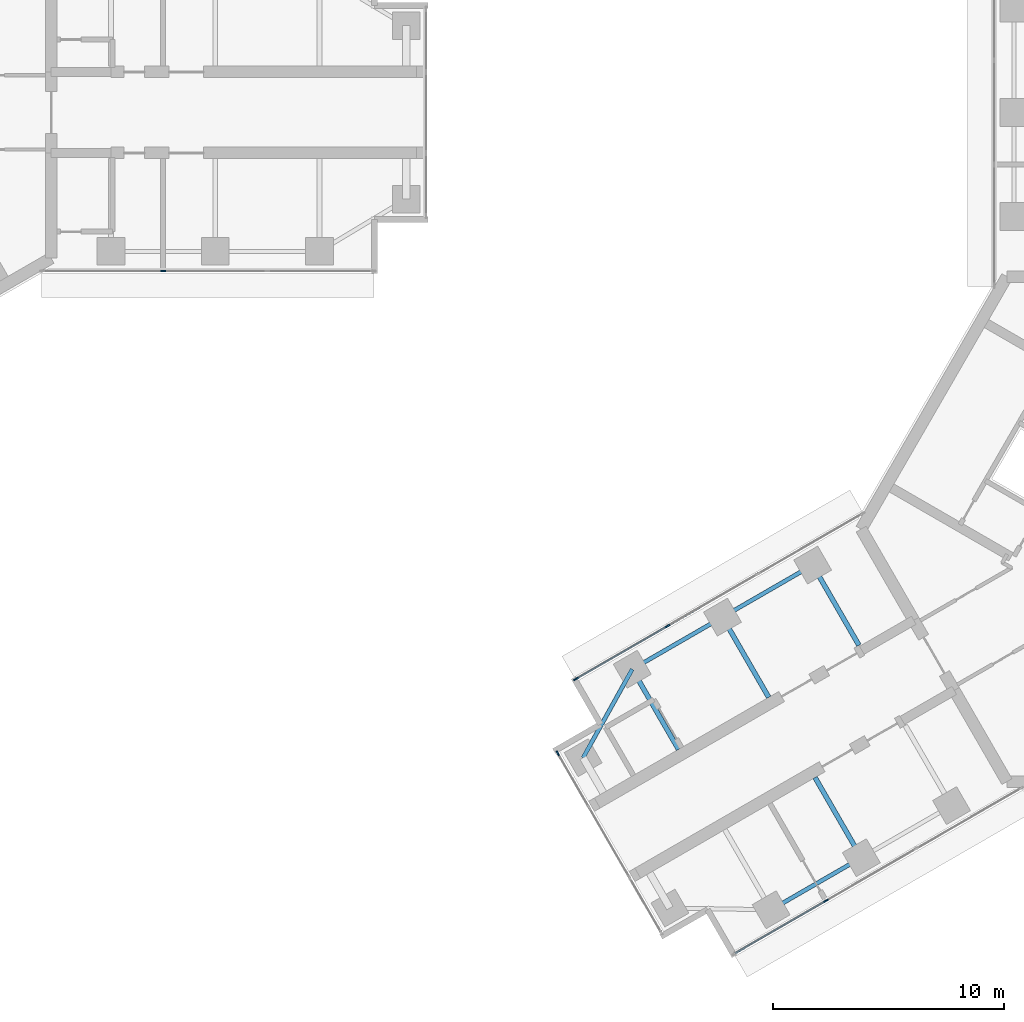
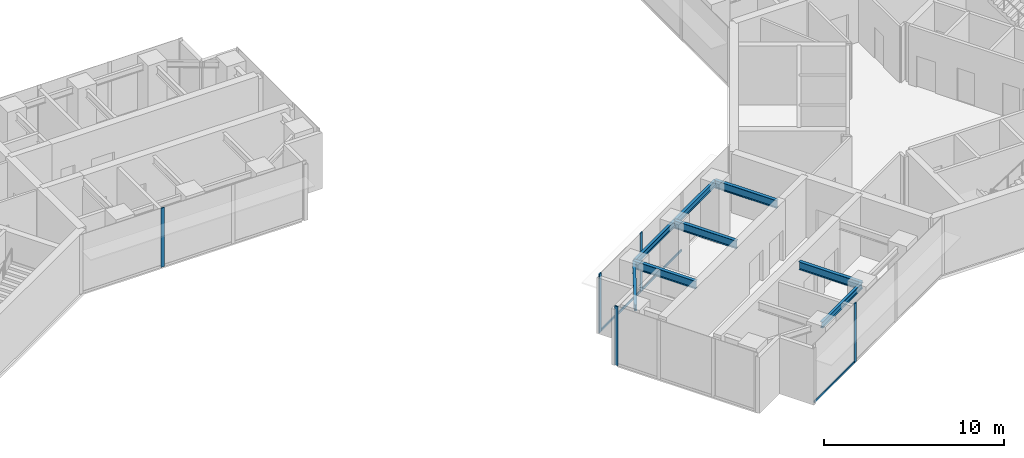
# One storey, part 3 of 17: 8 beams, 8 members, 4 elements without a shape of their own.
"""IFC4 building model written with IfcOpenShell, lengths in metres."""

from ifc_helpers import new_model, si_unit, direction, frame, origin, origin_2d, place, context, subcontext, project, spatial, rectangle, i_section, extrude, material, material_profile, profile_set, type_object, element, aggregate, save


model = new_model("IFC4")

# Units and contexts
model_context = context("Model", 3, precision=1e-05, world=origin(), true_north=direction((0.0, 1.0)))
body_context = subcontext(model_context, "Body", "Model", "MODEL_VIEW")
ifc_project = project(units=[si_unit("LENGTHUNIT", "METRE"), si_unit("AREAUNIT", "SQUARE_METRE"), si_unit("VOLUMEUNIT", "CUBIC_METRE"), si_unit("PLANEANGLEUNIT", "RADIAN"), si_unit("MASSUNIT", "GRAM", prefix="KILO")], contexts=[model_context])

# Site, building, storey
site_placement = place(None, origin())
site = spatial("IfcSite", under=ifc_project, at=site_placement, CompositionType="ELEMENT")
building_placement = place(site_placement, origin())
building = spatial("IfcBuilding", under=site, at=building_placement, Name="Upepo Twin Towers", CompositionType="ELEMENT")
storey_placement = place(building_placement, frame((0.0, 0.0, 182.5)))
storey = spatial("IfcBuildingStorey", under=building, at=storey_placement, Name="L44", CompositionType="ELEMENT", Elevation=182.5)

# Beams
ifc_material_1 = material(Name="Steel S355", Category="steel")
ifc_material_profile_1 = material_profile(ifc_material_1, i_section(OverallWidth=0.177978515625, OverallDepth=0.406494140625, WebThickness=0.0078125, FlangeThickness=0.0126953125, FilletRadius=0.01025390625, at=origin_2d()), Name="UB 406x178x60")
ifc_profile_set_1 = profile_set([ifc_material_profile_1], Name="Steel S355")
beam_type_1 = type_object("IfcBeamType", Name="Beam UB 406x178x60", PredefinedType="BEAM", material=ifc_profile_set_1)
beam_1_placement = place(storey_placement, frame((45.91162109375, -32.196044921875, 3.5966796875), z_axis=(-0.866031096941, -0.499990139034, 0.0), x_axis=(0.499990139034, -0.866031096941, 0.0)))
element("IfcBeam", 1, at=beam_1_placement, inside=storey, type_object=beam_type_1, Name="T2 edge beam BL 18.0-22.5", PredefinedType="BEAM", context=body_context, shape_type="SweptSolid", body=[
    extrude(i_section(OverallWidth=0.177978515625, OverallDepth=0.406494140625, WebThickness=0.0078125, FlangeThickness=0.0126953125, FilletRadius=0.01025390625, at=origin_2d()), origin(), (0.0, 0.0, 1.0), 4.5),
])
beam_2_placement = place(storey_placement, frame((43.80859375, -19.553955078125, 3.5966796875), z_axis=(-0.866017533419, -0.500013631625, 0.0), x_axis=(0.500013631625, -0.866017533419, 0.0)))
element("IfcBeam", 2, at=beam_2_placement, inside=storey, type_object=beam_type_1, Name="T2 edge beam BR 13.5-18.0", PredefinedType="BEAM", context=body_context, shape_type="SweptSolid", body=[
    extrude(i_section(OverallWidth=0.177978515625, OverallDepth=0.406494140625, WebThickness=0.0078125, FlangeThickness=0.0126953125, FilletRadius=0.01025390625, at=origin_2d()), origin(), (0.0, 0.0, 1.0), 4.499755859375),
])
beam_3_placement = place(storey_placement, frame((39.91162109375, -21.803955078125, 3.5966796875), z_axis=(-0.866031096941, -0.499990139034, 0.0), x_axis=(0.499990139034, -0.866031096941, 0.0)))
element("IfcBeam", 3, at=beam_3_placement, inside=storey, type_object=beam_type_1, Name="T2 edge beam BR 18.0-22.5", PredefinedType="BEAM", context=body_context, shape_type="SweptSolid", body=[
    extrude(i_section(OverallWidth=0.177978515625, OverallDepth=0.406494140625, WebThickness=0.0078125, FlangeThickness=0.0126953125, FilletRadius=0.01025390625, at=origin_2d()), origin(), (0.0, 0.0, 1.0), 4.5),
])
beam_4_placement = place(storey_placement, frame((36.014404296875, -24.053955078125, 3.5966796875), z_axis=(-0.485363242752, -0.874312600038, 0.0), x_axis=(0.874312600038, -0.485363242752, 0.0)))
element("IfcBeam", 4, at=beam_4_placement, inside=storey, type_object=beam_type_1, Name="T2 nose edge beam BR", PredefinedType="BEAM", context=body_context, shape_type="SweptSolid", body=[
    extrude(i_section(OverallWidth=0.177978515625, OverallDepth=0.406494140625, WebThickness=0.0078125, FlangeThickness=0.0126953125, FilletRadius=0.01025390625, at=origin_2d()), origin(), (0.0, 0.0, 1.0), 4.373046875),
])
ifc_material_2 = material(Name="Steel S355", Category="steel")
ifc_material_profile_2 = material_profile(ifc_material_2, i_section(OverallWidth=0.209228515625, OverallDepth=0.533203125, WebThickness=0.010009765625, FlangeThickness=0.015625, FilletRadius=0.0126953125, at=origin_2d()), Name="UB 533x210x92")
ifc_profile_set_2 = profile_set([ifc_material_profile_2], Name="Steel S355")
beam_type_2 = type_object("IfcBeamType", Name="Beam UB 533x210x92", PredefinedType="BEAM", material=ifc_profile_set_2)
for number, where, z_axis, x_axis, name in (
    (5, (45.91162109375, -32.196044921875, 3.533447265625), (-0.49999894854, 0.866026010844, 0.0), (-0.866026010844, -0.49999894854, 0.0), "T2 girder BL at 18.0"),
    (6, (43.80859375, -19.553955078125, 3.533447265625), (0.49999894854, -0.866026010844, 0.0), (0.866026010844, 0.49999894854, 0.0), "T2 girder BR at 13.5"),
    (7, (39.91162109375, -21.803955078125, 3.533447265625), (0.49999894854, -0.866026010844, 0.0), (0.866026010844, 0.49999894854, 0.0), "T2 girder BR at 18.0"),
    (8, (36.014404296875, -24.053955078125, 3.533447265625), (0.49999894854, -0.866026010844, 0.0), (0.866026010844, 0.49999894854, 0.0), "T2 girder BR at 22.5"),
):
    element("IfcBeam", number, at=place(storey_placement, frame(where, z_axis=z_axis, x_axis=x_axis)), inside=storey, type_object=beam_type_2, Name=name, PredefinedType="BEAM", context=body_context, shape_type="SweptSolid", body=[
        extrude(i_section(OverallWidth=0.209228515625, OverallDepth=0.533203125, WebThickness=0.010009765625, FlangeThickness=0.015625, FilletRadius=0.0126953125, at=origin_2d()), origin(), (0.0, 0.0, 1.0), 4.0),
    ])

# Curtain wall, member
ifc_material_3 = material(Name="Aluminium and fritted glass", Category="aluminium")
curtain_wall_type = type_object("IfcCurtainWallType", Name="Tower curtain wall TW3, fritted glass", PredefinedType="NOTDEFINED", material=ifc_material_3)
curtain_wall_1_placement = place(storey_placement, origin())
curtain_wall_1 = element("IfcCurtainWall", 9, at=curtain_wall_1_placement, inside=storey, type_object=curtain_wall_type, Name="T1 L44 wing A flank R curtain wall", PredefinedType="NOTDEFINED")
ifc_material_4 = material(Name="Aluminium mullion", Category="aluminium")
ifc_material_profile_3 = material_profile(ifc_material_4, rectangle(XDim=0.06494140625, YDim=0.22509765625, at=origin_2d()), Name="MULLION 65x225")
ifc_profile_set_3 = profile_set([ifc_material_profile_3], Name="Aluminium mullion")
member_type_1 = type_object("IfcMemberType", Name="Mullion 65x225 TW3", PredefinedType="MULLION", material=ifc_profile_set_3)
member_1_placement = place(storey_placement, frame((15.75, -6.85009765625, 0.0), z_axis=(0.0, 0.0, 1.0), x_axis=(0.0, -1.0, 0.0)))
member_1 = element("IfcMember", 10, at=member_1_placement, type_object=member_type_1, Name="T1 L44 wing A flank R curtain wall mullion 3", PredefinedType="MULLION", context=body_context, shape_type="SweptSolid", body=[
    extrude(rectangle(XDim=0.06494140625, YDim=0.22509765625, at=origin_2d()), origin(), (0.0, 0.0, 1.0), 4.0),
])
aggregate(curtain_wall_1, [member_1])

curtain_wall_2_placement = place(storey_placement, origin())
curtain_wall_2 = element("IfcCurtainWall", 11, at=curtain_wall_2_placement, inside=storey, type_object=curtain_wall_type, Name="T2 L44 wing B flank L curtain wall", PredefinedType="NOTDEFINED")
member_2_placement = place(storey_placement, frame((44.387939453125, -34.057373046875, 0.0), z_axis=(0.0, 0.0, 1.0), x_axis=(0.500000026527, -0.866025388469, 0.0)))
member_2 = element("IfcMember", 12, at=member_2_placement, type_object=member_type_1, Name="T2 L44 wing B flank L curtain wall mullion 3", PredefinedType="MULLION", context=body_context, shape_type="SweptSolid", body=[
    extrude(rectangle(XDim=0.06494140625, YDim=0.22509765625, at=origin_2d()), origin(), (0.0, 0.0, 1.0), 4.0),
])

# Curtain wall, members
curtain_wall_3_placement = place(storey_placement, origin())
curtain_wall_3 = element("IfcCurtainWall", 13, at=curtain_wall_3_placement, inside=storey, type_object=curtain_wall_type, Name="T2 L44 wing B flank R curtain wall", PredefinedType="NOTDEFINED")
member_3_placement = place(storey_placement, frame((33.58251953125, -24.4765625, 0.0), z_axis=(0.0, 0.0, 1.0), x_axis=(-0.500000026527, 0.866025388469, 0.0)))
member_3 = element("IfcMember", 14, at=member_3_placement, type_object=member_type_1, Name="T2 L44 wing B flank R curtain wall mullion 1", PredefinedType="MULLION", context=body_context, shape_type="SweptSolid", body=[
    extrude(rectangle(XDim=0.06494140625, YDim=0.22509765625, at=origin_2d()), origin(), (0.0, 0.0, 1.0), 4.0),
])
member_4_placement = place(storey_placement, frame((37.5380859375, -22.192626953125, 0.0), z_axis=(0.0, 0.0, 1.0), x_axis=(-0.500000026527, 0.866025388469, 0.0)))
member_4 = element("IfcMember", 15, at=member_4_placement, type_object=member_type_1, Name="T2 L44 wing B flank R curtain wall mullion 2", PredefinedType="MULLION", context=body_context, shape_type="SweptSolid", body=[
    extrude(rectangle(XDim=0.06494140625, YDim=0.22509765625, at=origin_2d()), origin(), (0.0, 0.0, 1.0), 4.0),
])

# Curtain wall, member
curtain_wall_4_placement = place(storey_placement, origin())
curtain_wall_4 = element("IfcCurtainWall", 16, at=curtain_wall_4_placement, inside=storey, type_object=curtain_wall_type, Name="T2 L44 wing B nose curtain wall", PredefinedType="NOTDEFINED")
member_5_placement = place(storey_placement, frame((32.796875, -27.68115234375, 0.0), z_axis=(0.0, 0.0, 1.0), x_axis=(0.866025386174, 0.500000030502, 0.0)))
member_5 = element("IfcMember", 17, at=member_5_placement, type_object=member_type_1, Name="T2 L44 wing B nose curtain wall mullion 1", PredefinedType="MULLION", context=body_context, shape_type="SweptSolid", body=[
    extrude(rectangle(XDim=0.06494140625, YDim=0.22509765625, at=origin_2d()), origin(), (0.0, 0.0, 1.0), 4.0),
])
aggregate(curtain_wall_4, [member_5])

# Member
ifc_material_5 = material(Name="Aluminium transom", Category="aluminium")
ifc_material_profile_4 = material_profile(ifc_material_5, rectangle(XDim=0.06494140625, YDim=0.14990234375, at=origin_2d()), Name="TRANSOM 65x150")
ifc_profile_set_4 = profile_set([ifc_material_profile_4], Name="Aluminium transom")
member_type_2 = type_object("IfcMemberType", Name="Transom 65x150 TW3", PredefinedType="USERDEFINED", material=ifc_profile_set_4)
member_6_placement = place(storey_placement, frame((44.35986328125, -34.073486328125, 0.074951171875), z_axis=(-0.866035699072, -0.499982167615, 0.0), x_axis=(0.499982167615, -0.866035699072, 0.0)))
member_6 = element("IfcMember", 18, at=member_6_placement, type_object=member_type_2, Name="T2 L44 wing B flank L curtain wall transom 3", ObjectType="TRANSOM", PredefinedType="USERDEFINED", context=body_context, shape_type="SweptSolid", body=[
    extrude(rectangle(XDim=0.06494140625, YDim=0.14990234375, at=origin_2d()), origin(), (0.0, 0.0, 1.0), 4.502685546875),
])

aggregate(curtain_wall_2, [member_2, member_6])

member_7_placement = place(storey_placement, frame((33.610595703125, -24.460205078125, 0.074951171875), z_axis=(0.866022143554, 0.500005646842, 0.0), x_axis=(-0.500005646842, 0.866022143554, 0.0)))
member_7 = element("IfcMember", 19, at=member_7_placement, type_object=member_type_2, Name="T2 L44 wing B flank R curtain wall transom 1", ObjectType="TRANSOM", PredefinedType="USERDEFINED", context=body_context, shape_type="SweptSolid", body=[
    extrude(rectangle(XDim=0.06494140625, YDim=0.14990234375, at=origin_2d()), origin(), (0.0, 0.0, 1.0), 4.50244140625),
])

member_8_placement = place(storey_placement, frame((37.566162109375, -22.176513671875, 0.074951171875), z_axis=(0.866022410713, 0.500005184116, 0.0), x_axis=(-0.500005184116, 0.866022410713, 0.0)))
member_8 = element("IfcMember", 20, at=member_8_placement, type_object=member_type_2, Name="T2 L44 wing B flank R curtain wall transom 2", ObjectType="TRANSOM", PredefinedType="USERDEFINED", context=body_context, shape_type="SweptSolid", body=[
    extrude(rectangle(XDim=0.06494140625, YDim=0.14990234375, at=origin_2d()), origin(), (0.0, 0.0, 1.0), 4.43505859375),
])

aggregate(curtain_wall_3, [member_3, member_4, member_7, member_8])

save(model, "model.ifc")
